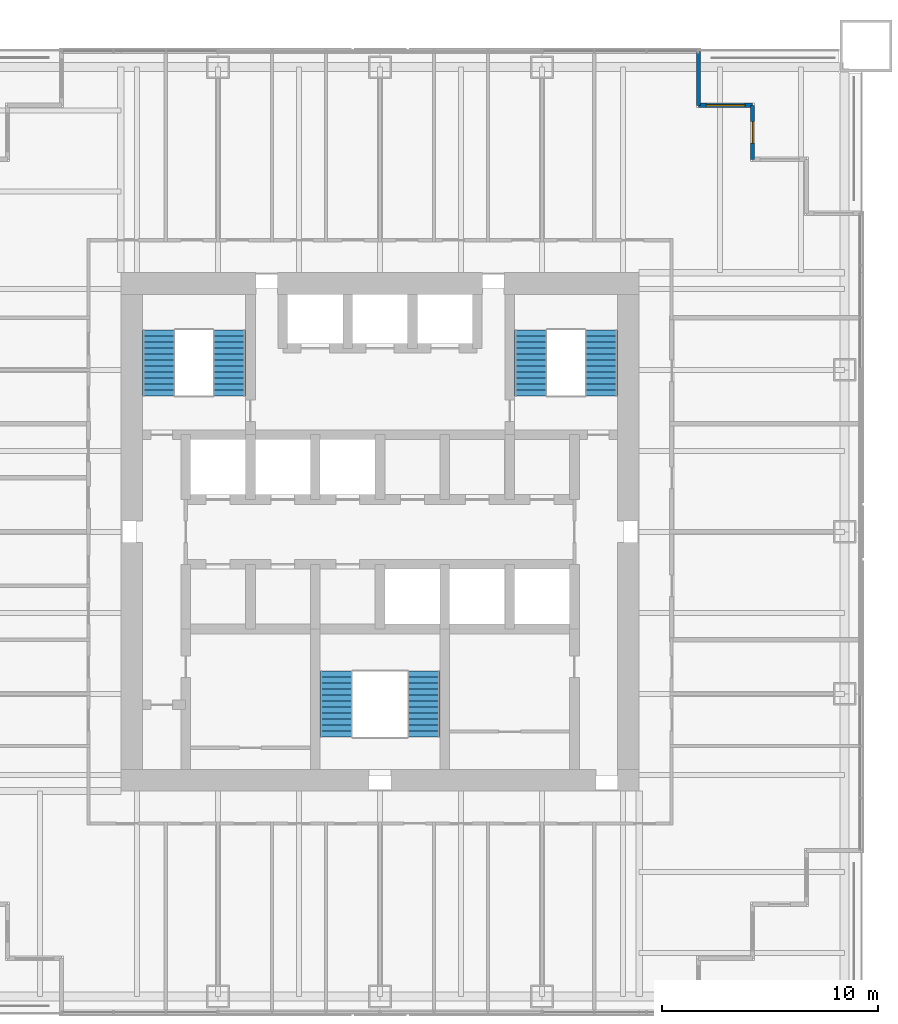
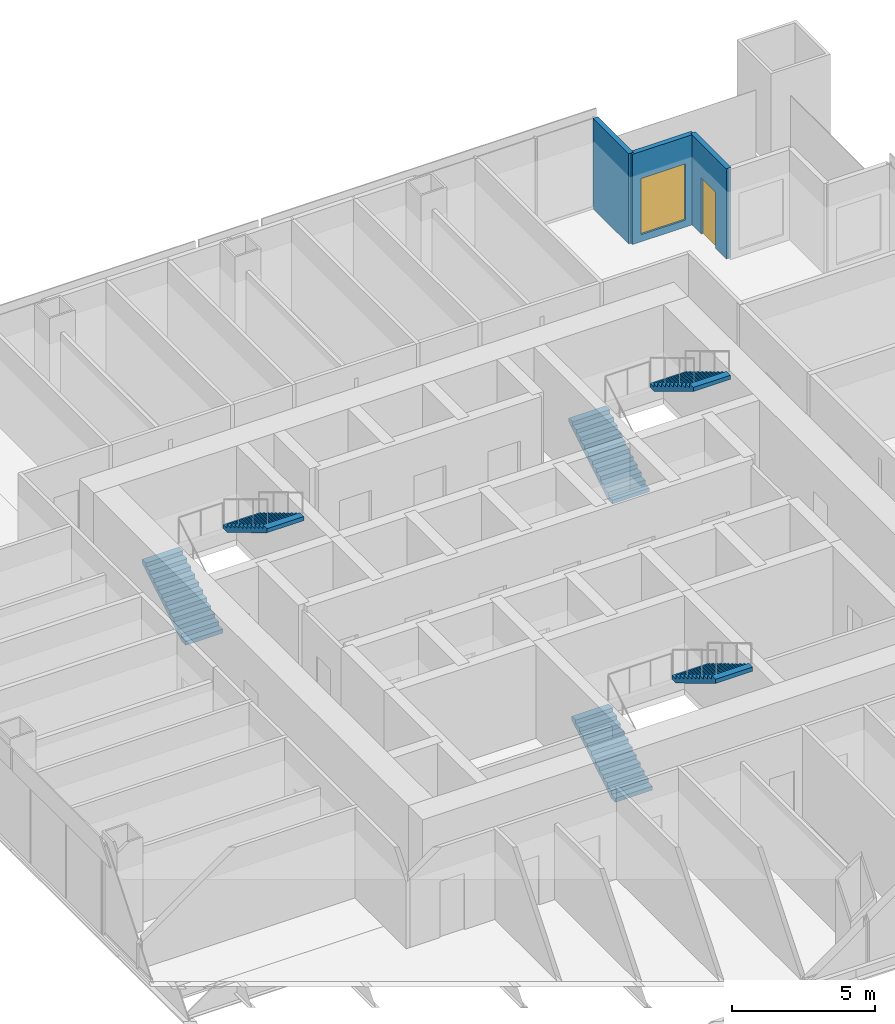
# One storey, part 12 of 14: 6 stair flights, 3 walls, 1 door, 1 window, 2 openings, 3 elements without a shape of their own.
"""IFC4 building model written with IfcOpenShell, lengths in metres."""

from ifc_helpers import new_model, si_unit, direction, frame, frame_2d, origin, place, context, subcontext, project, spatial, polyline, rectangle, outline, extrude, material, layer, layer_set, type_object, element, fill, aggregate, save


model = new_model("IFC4")

# Units and contexts
model_context = context("Model", 3, precision=1e-05, world=origin(), true_north=direction((0.0, 1.0)))
body_context = subcontext(model_context, "Body", "Model", "MODEL_VIEW")
ifc_project = project(units=[si_unit("LENGTHUNIT", "METRE"), si_unit("AREAUNIT", "SQUARE_METRE"), si_unit("VOLUMEUNIT", "CUBIC_METRE"), si_unit("PLANEANGLEUNIT", "RADIAN"), si_unit("MASSUNIT", "GRAM", prefix="KILO")], contexts=[model_context])

# Site, building, storey
site_placement = place(None, origin())
site = spatial("IfcSite", under=ifc_project, at=site_placement, CompositionType="ELEMENT")
building_placement = place(site_placement, origin())
building = spatial("IfcBuilding", under=site, at=building_placement, Name="Tarangal Relay Tower", CompositionType="ELEMENT")
storey_placement = place(building_placement, frame((0.0, 0.0, 229.89990234375)))
storey = spatial("IfcBuildingStorey", under=building, at=storey_placement, Name="L49", CompositionType="ELEMENT", Elevation=229.89990234375)

# Wall
ifc_material_1 = material(Name="Black metal clad insulated wall", Category="steel")
ifc_layer = layer(ifc_material_1, 0.199951171875)
ifc_layer_set = layer_set([ifc_layer], Name="Corner wall metal clad 200")
wall_type = type_object("IfcWallType", Name="Corner wall metal clad 200", PredefinedType="SOLIDWALL", material=ifc_layer_set)
wall_1_placement = place(storey_placement, frame((14.75, 22.25, 0.0), z_axis=(0.0, 0.0, 1.0), x_axis=(0.0, -1.0, 0.0)))
element("IfcWall", 1, at=wall_1_placement, inside=storey, type_object=wall_type, Name="Facade wall N facade L49", PredefinedType="SOLIDWALL", context=body_context, shape_type="SweptSolid", body=[
    extrude(rectangle(XDim=2.5, YDim=0.199951171875, at=frame_2d((1.25, 0.0))), origin(), (0.0, 0.0, 1.0), 3.85009765625),
])

# Wall, opening, window
wall_2_placement = place(storey_placement, frame((14.75, 19.75, 0.0), z_axis=(0.0, 0.0, 1.0), x_axis=(1.0, 0.0, 0.0)))
wall_2 = element("IfcWall", 2, at=wall_2_placement, inside=storey, type_object=wall_type, Name="Facade wall N facade L49", PredefinedType="SOLIDWALL", context=body_context, shape_type="SweptSolid", body=[
    extrude(rectangle(XDim=2.5, YDim=0.199951171875, at=frame_2d((1.25, 0.0))), origin(), (0.0, 0.0, 1.0), 3.85009765625),
])
opening_1_placement = place(wall_2_placement, frame((0.35009765625, 0.0, 0.300048828125)))
opening_1 = element("IfcOpeningElement", 3, at=opening_1_placement, cuts=wall_2, Name="Opening WN2", PredefinedType="OPENING", context=body_context, shape_type="SweptSolid", body=[
    extrude(rectangle(XDim=1.800048828125, YDim=2.39990234375, at=frame_2d((0.89990234375, 1.199951171875))), frame((0.0, 0.10986328125, 0.0), z_axis=(0.0, -1.0, 0.0), x_axis=(1.0, 0.0, 0.0)), (0.0, 0.0, 1.0), 0.219970703125),
])
ifc_material_2 = material(Name="Dark tinted double glazing in black aluminium frame", Category="aluminium")
window_type = type_object("IfcWindowType", Name="Corner window 1800 x 2400", PartitioningType="SINGLE_PANEL", PredefinedType="WINDOW", material=ifc_material_2)
window_placement = place(opening_1_placement, origin())
window = element("IfcWindow", 4, at=window_placement, inside=storey, type_object=window_type, Name="Corner window WN2 N facade L49", OverallHeight=2.39990234375, OverallWidth=1.800048828125, PartitioningType="SINGLE_PANEL", PredefinedType="WINDOW", context=body_context, shape_type="SweptSolid", body=[
    extrude(rectangle(XDim=1.800048828125, YDim=2.39990234375, at=frame_2d((0.89990234375, 1.199951171875))), frame((0.0, 0.030029296875, 0.0), z_axis=(0.0, -1.0, 0.0), x_axis=(1.0, 0.0, 0.0)), (0.0, 0.0, 1.0), 0.06005859375),
])
fill(opening_1, window)

# Wall, opening, door
wall_3_placement = place(storey_placement, frame((17.25, 19.75, 0.0), z_axis=(0.0, 0.0, 1.0), x_axis=(0.0, -1.0, 0.0)))
wall_3 = element("IfcWall", 5, at=wall_3_placement, inside=storey, type_object=wall_type, Name="Facade wall N facade L49", PredefinedType="SOLIDWALL", context=body_context, shape_type="SweptSolid", body=[
    extrude(rectangle(XDim=2.5, YDim=0.199951171875, at=frame_2d((1.25, 0.0))), origin(), (0.0, 0.0, 1.0), 3.85009765625),
])
opening_2_placement = place(wall_3_placement, frame((0.75, 0.0, 0.0)))
opening_2 = element("IfcOpeningElement", 6, at=opening_2_placement, cuts=wall_3, Name="Opening TD1", PredefinedType="OPENING", context=body_context, shape_type="SweptSolid", body=[
    extrude(rectangle(XDim=1.0, YDim=2.39990234375, at=frame_2d((0.5, 1.199951171875))), frame((0.0, 0.10986328125, 0.0), z_axis=(0.0, -1.0, 0.0), x_axis=(1.0, 0.0, 0.0)), (0.0, 0.0, 1.0), 0.219970703125),
])
ifc_material_3 = material(Name="Aluminium glazed door", Category="aluminium")
door_type = type_object("IfcDoorType", Name="Terrace door 1000 x 2400", OperationType="SINGLE_SWING_RIGHT", PredefinedType="DOOR", material=ifc_material_3)
door_placement = place(opening_2_placement, origin())
door = element("IfcDoor", 7, at=door_placement, inside=storey, type_object=door_type, Name="Terrace door TD1 NE L49", OperationType="SINGLE_SWING_RIGHT", OverallHeight=2.39990234375, OverallWidth=1.0, PredefinedType="DOOR", context=body_context, shape_type="SweptSolid", body=[
    extrude(rectangle(XDim=1.0, YDim=2.39990234375, at=frame_2d((0.5, 1.199951171875))), frame((0.0, 0.02490234375, 0.0), z_axis=(0.0, -1.0, 0.0), x_axis=(1.0, 0.0, 0.0)), (0.0, 0.0, 1.0), 0.050048828125),
])
fill(opening_2, door)

# Stair, stair flights
ifc_material_4 = material(Name="Steel ASTM A992 stair flight", Category="steel")
stair_type = type_object("IfcStairType", Name="Core stair 1500", PredefinedType="HALF_TURN_STAIR", material=ifc_material_4)
stair_1_placement = place(storey_placement, origin())
stair_1 = element("IfcStair", 8, at=stair_1_placement, inside=storey, type_object=stair_type, Name="Stair ST-A L49", PredefinedType="HALF_TURN_STAIR")
stair_flight_type = type_object("IfcStairFlightType", Name="Steel stair flight 1500, 12 risers 167 x 277", PredefinedType="STRAIGHT", material=ifc_material_4)
stair_flight_1_placement = place(storey_placement, frame((-10.25, 6.300048828125, 0.0), z_axis=(0.0, 0.0, 1.0), x_axis=(0.0, 1.0, 0.0)))
stair_flight_1 = element("IfcStairFlight", 9, at=stair_flight_1_placement, type_object=stair_flight_type, Name="ST-A flight 1", NumberOfRisers=12, NumberOfTreads=11, PredefinedType="STRAIGHT", RiserHeight=0.166666667, TreadLength=0.277, context=body_context, shape_type="SweptSolid", body=[
    extrude(outline(polyline([(0.0, 0.0), (0.0, 0.166748046875), (0.277099609375, 0.166748046875), (0.277099609375, 0.333251953125), (0.553955078125, 0.333251953125), (0.553955078125, 0.5), (0.8310546875, 0.5), (0.8310546875, 0.666748046875), (1.10791015625, 0.666748046875), (1.10791015625, 0.833251953125), (1.385009765625, 0.833251953125), (1.385009765625, 1.0), (1.662109375, 1.0), (1.662109375, 1.166748046875), (1.93896484375, 1.166748046875), (1.93896484375, 1.333251953125), (2.216064453125, 1.333251953125), (2.216064453125, 1.5), (2.492919921875, 1.5), (2.492919921875, 1.666748046875), (2.77001953125, 1.666748046875), (2.77001953125, 1.833251953125), (3.047119140625, 1.833251953125), (3.047119140625, 2.0), (3.047119140625, 1.658447265625), (0.290771484375, 0.0), (0.0, 0.0)])), frame((0.0, 0.75, 0.0), z_axis=(0.0, -1.0, 0.0), x_axis=(1.0, 0.0, 0.0)), (0.0, 0.0, 1.0), 1.5),
])
stair_flight_2_placement = place(storey_placement, frame((-6.97509765625, 9.346923828125, 2.0), z_axis=(0.0, 0.0, 1.0), x_axis=(0.0, -1.0, 0.0)))
stair_flight_2 = element("IfcStairFlight", 10, at=stair_flight_2_placement, type_object=stair_flight_type, Name="ST-A flight 2", NumberOfRisers=12, NumberOfTreads=11, PredefinedType="STRAIGHT", RiserHeight=0.166666667, TreadLength=0.277, context=body_context, shape_type="SweptSolid", body=[
    extrude(outline(polyline([(0.0, 0.0), (0.0, 0.166748046875), (0.277099609375, 0.166748046875), (0.277099609375, 0.333251953125), (0.553955078125, 0.333251953125), (0.553955078125, 0.5), (0.8310546875, 0.5), (0.8310546875, 0.666748046875), (1.10791015625, 0.666748046875), (1.10791015625, 0.833251953125), (1.385009765625, 0.833251953125), (1.385009765625, 1.0), (1.662109375, 1.0), (1.662109375, 1.166748046875), (1.93896484375, 1.166748046875), (1.93896484375, 1.333251953125), (2.216064453125, 1.333251953125), (2.216064453125, 1.5), (2.492919921875, 1.5), (2.492919921875, 1.666748046875), (2.77001953125, 1.666748046875), (2.77001953125, 1.833251953125), (3.047119140625, 1.833251953125), (3.047119140625, 2.0), (3.047119140625, 1.658447265625), (0.290771484375, 0.0), (0.0, 0.0)])), frame((0.0, 0.75, 0.0), z_axis=(0.0, -1.0, 0.0), x_axis=(1.0, 0.0, 0.0)), (0.0, 0.0, 1.0), 1.5),
])
aggregate(stair_1, [stair_flight_1, stair_flight_2])

stair_2_placement = place(storey_placement, origin())
stair_2 = element("IfcStair", 11, at=stair_2_placement, inside=storey, type_object=stair_type, Name="Stair ST-B L49", PredefinedType="HALF_TURN_STAIR")
stair_flight_3_placement = place(storey_placement, frame((6.97509765625, 6.300048828125, 0.0), z_axis=(0.0, 0.0, 1.0), x_axis=(0.0, 1.0, 0.0)))
stair_flight_3 = element("IfcStairFlight", 12, at=stair_flight_3_placement, type_object=stair_flight_type, Name="ST-B flight 1", NumberOfRisers=12, NumberOfTreads=11, PredefinedType="STRAIGHT", RiserHeight=0.166666667, TreadLength=0.277, context=body_context, shape_type="SweptSolid", body=[
    extrude(outline(polyline([(0.0, 0.0), (0.0, 0.166748046875), (0.277099609375, 0.166748046875), (0.277099609375, 0.333251953125), (0.553955078125, 0.333251953125), (0.553955078125, 0.5), (0.8310546875, 0.5), (0.8310546875, 0.666748046875), (1.10791015625, 0.666748046875), (1.10791015625, 0.833251953125), (1.385009765625, 0.833251953125), (1.385009765625, 1.0), (1.662109375, 1.0), (1.662109375, 1.166748046875), (1.93896484375, 1.166748046875), (1.93896484375, 1.333251953125), (2.216064453125, 1.333251953125), (2.216064453125, 1.5), (2.492919921875, 1.5), (2.492919921875, 1.666748046875), (2.77001953125, 1.666748046875), (2.77001953125, 1.833251953125), (3.047119140625, 1.833251953125), (3.047119140625, 2.0), (3.047119140625, 1.658447265625), (0.290771484375, 0.0), (0.0, 0.0)])), frame((0.0, 0.75, 0.0), z_axis=(0.0, -1.0, 0.0), x_axis=(1.0, 0.0, 0.0)), (0.0, 0.0, 1.0), 1.5),
])
stair_flight_4_placement = place(storey_placement, frame((10.25, 9.346923828125, 2.0), z_axis=(0.0, 0.0, 1.0), x_axis=(0.0, -1.0, 0.0)))
stair_flight_4 = element("IfcStairFlight", 13, at=stair_flight_4_placement, type_object=stair_flight_type, Name="ST-B flight 2", NumberOfRisers=12, NumberOfTreads=11, PredefinedType="STRAIGHT", RiserHeight=0.166666667, TreadLength=0.277, context=body_context, shape_type="SweptSolid", body=[
    extrude(outline(polyline([(0.0, 0.0), (0.0, 0.166748046875), (0.277099609375, 0.166748046875), (0.277099609375, 0.333251953125), (0.553955078125, 0.333251953125), (0.553955078125, 0.5), (0.8310546875, 0.5), (0.8310546875, 0.666748046875), (1.10791015625, 0.666748046875), (1.10791015625, 0.833251953125), (1.385009765625, 0.833251953125), (1.385009765625, 1.0), (1.662109375, 1.0), (1.662109375, 1.166748046875), (1.93896484375, 1.166748046875), (1.93896484375, 1.333251953125), (2.216064453125, 1.333251953125), (2.216064453125, 1.5), (2.492919921875, 1.5), (2.492919921875, 1.666748046875), (2.77001953125, 1.666748046875), (2.77001953125, 1.833251953125), (3.047119140625, 1.833251953125), (3.047119140625, 2.0), (3.047119140625, 1.658447265625), (0.290771484375, 0.0), (0.0, 0.0)])), frame((0.0, 0.75, 0.0), z_axis=(0.0, -1.0, 0.0), x_axis=(1.0, 0.0, 0.0)), (0.0, 0.0, 1.0), 1.5),
])
aggregate(stair_2, [stair_flight_3, stair_flight_4])

stair_3_placement = place(storey_placement, origin())
stair_3 = element("IfcStair", 14, at=stair_3_placement, inside=storey, type_object=stair_type, Name="Stair ST-C L49", PredefinedType="HALF_TURN_STAIR")
stair_flight_5_placement = place(storey_placement, frame((-2.02490234375, -9.5, 0.0), z_axis=(0.0, 0.0, 1.0), x_axis=(0.0, 1.0, 0.0)))
stair_flight_5 = element("IfcStairFlight", 15, at=stair_flight_5_placement, type_object=stair_flight_type, Name="ST-C flight 1", NumberOfRisers=12, NumberOfTreads=11, PredefinedType="STRAIGHT", RiserHeight=0.166666667, TreadLength=0.277, context=body_context, shape_type="SweptSolid", body=[
    extrude(outline(polyline([(0.0, 0.0), (0.0, 0.166748046875), (0.277099609375, 0.166748046875), (0.277099609375, 0.333251953125), (0.553955078125, 0.333251953125), (0.553955078125, 0.5), (0.8310546875, 0.5), (0.8310546875, 0.666748046875), (1.10791015625, 0.666748046875), (1.10791015625, 0.833251953125), (1.385009765625, 0.833251953125), (1.385009765625, 1.0), (1.662109375, 1.0), (1.662109375, 1.166748046875), (1.93896484375, 1.166748046875), (1.93896484375, 1.333251953125), (2.216064453125, 1.333251953125), (2.216064453125, 1.5), (2.492919921875, 1.5), (2.492919921875, 1.666748046875), (2.77001953125, 1.666748046875), (2.77001953125, 1.833251953125), (3.047119140625, 1.833251953125), (3.047119140625, 2.0), (3.047119140625, 1.658447265625), (0.290771484375, 0.0), (0.0, 0.0)])), frame((0.0, 0.75, 0.0), z_axis=(0.0, -1.0, 0.0), x_axis=(1.0, 0.0, 0.0)), (0.0, 0.0, 1.0), 1.5),
])
stair_flight_6_placement = place(storey_placement, frame((2.02490234375, -6.452880859375, 2.0), z_axis=(0.0, 0.0, 1.0), x_axis=(0.0, -1.0, 0.0)))
stair_flight_6 = element("IfcStairFlight", 16, at=stair_flight_6_placement, type_object=stair_flight_type, Name="ST-C flight 2", NumberOfRisers=12, NumberOfTreads=11, PredefinedType="STRAIGHT", RiserHeight=0.166666667, TreadLength=0.277, context=body_context, shape_type="SweptSolid", body=[
    extrude(outline(polyline([(0.0, 0.0), (0.0, 0.166748046875), (0.277099609375, 0.166748046875), (0.277099609375, 0.333251953125), (0.553955078125, 0.333251953125), (0.553955078125, 0.5), (0.8310546875, 0.5), (0.8310546875, 0.666748046875), (1.10791015625, 0.666748046875), (1.10791015625, 0.833251953125), (1.385009765625, 0.833251953125), (1.385009765625, 1.0), (1.662109375, 1.0), (1.662109375, 1.166748046875), (1.93896484375, 1.166748046875), (1.93896484375, 1.333251953125), (2.216064453125, 1.333251953125), (2.216064453125, 1.5), (2.492919921875, 1.5), (2.492919921875, 1.666748046875), (2.77001953125, 1.666748046875), (2.77001953125, 1.833251953125), (3.047119140625, 1.833251953125), (3.047119140625, 2.0), (3.047119140625, 1.658447265625), (0.290771484375, 0.0), (0.0, 0.0)])), frame((0.0, 0.75, 0.0), z_axis=(0.0, -1.0, 0.0), x_axis=(1.0, 0.0, 0.0)), (0.0, 0.0, 1.0), 1.5),
])
aggregate(stair_3, [stair_flight_5, stair_flight_6])

save(model, "model.ifc")
